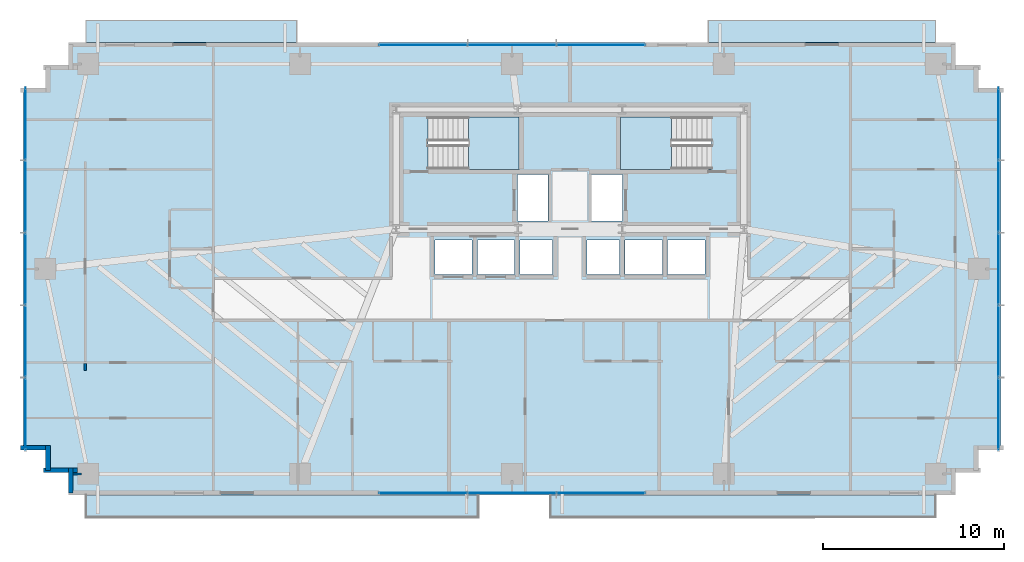
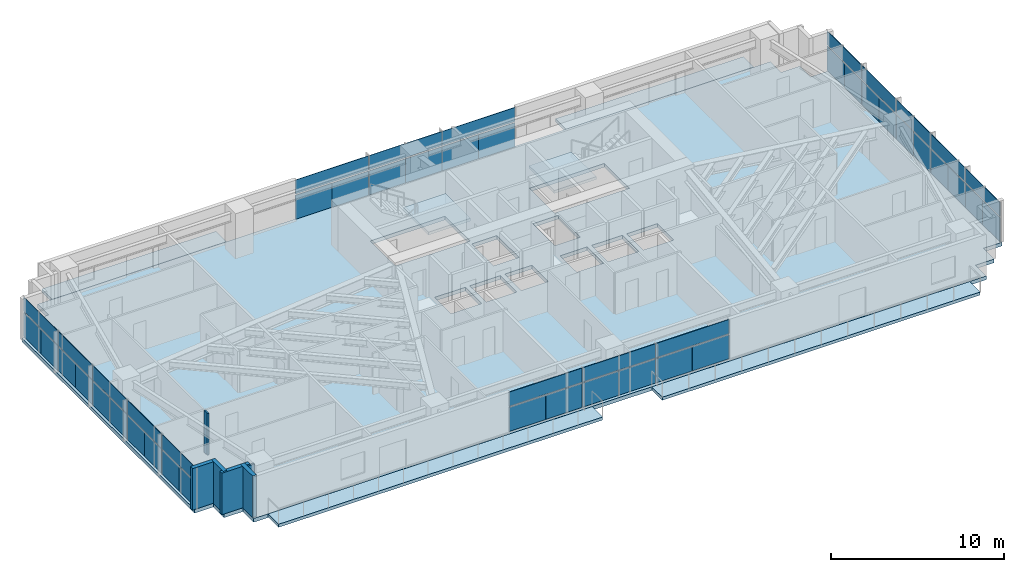
# One storey, part 18 of 25: 48 plates, 7 slabs, 6 walls, 6 elements without a shape of their own.
"""IFC4 building model written with IfcOpenShell, lengths in metres."""

from ifc_helpers import new_model, si_unit, direction, frame, frame_2d, origin, origin_2d, place, context, subcontext, project, spatial, polyline, rectangle, outline, extrude, source, transform, mapped, material, layer, layer_set, type_object, type_shapes, element, aggregate, save


model = new_model("IFC4")

# Units and contexts
model_context = context("Model", 3, precision=1e-05, world=origin(), true_north=direction((0.0, 1.0)))
body_context = subcontext(model_context, "Body", "Model", "MODEL_VIEW")
ifc_project = project(units=[si_unit("LENGTHUNIT", "METRE"), si_unit("AREAUNIT", "SQUARE_METRE"), si_unit("VOLUMEUNIT", "CUBIC_METRE"), si_unit("PLANEANGLEUNIT", "RADIAN"), si_unit("MASSUNIT", "GRAM", prefix="KILO")], contexts=[model_context])

# Site, building, storey
site_placement = place(None, origin())
site = spatial("IfcSite", under=ifc_project, at=site_placement, CompositionType="ELEMENT")
building_placement = place(site_placement, origin())
building = spatial("IfcBuilding", under=site, at=building_placement, Name="Astriad Promenade Condominiums", CompositionType="ELEMENT")
storey_placement = place(building_placement, frame((0.0, 0.0, 51.800048828125)))
storey = spatial("IfcBuildingStorey", under=building, at=storey_placement, Name="L14", CompositionType="ELEMENT", Elevation=51.800048828125)

# Slab
ifc_material_1 = material(Name="Concrete C50/60", Category="concrete")
ifc_layer_1 = layer(ifc_material_1, 0.260009765625)
ifc_layer_set_1 = layer_set([ifc_layer_1], Name="Concrete C50/60")
slab_type_1 = type_object("IfcSlabType", Name="CONCRETE TOWER FLOOR SLAB 260", PredefinedType="FLOOR", material=ifc_layer_set_1)
slab_1_placement = place(storey_placement, frame((0.0, 0.0, -0.260009765625)))
element("IfcSlab", 1, at=slab_1_placement, inside=storey, type_object=slab_type_1, Name="Structural Floor Slab (L14)", PredefinedType="FLOOR", context=body_context, shape_type="SweptSolid", body=[
    extrude(outline(polyline([(8.300048828125, 2.699951171875), (57.300048828125, 2.699951171875), (57.300048828125, 3.949951171875), (58.550048828125, 3.949951171875), (58.550048828125, 5.199951171875), (59.800048828125, 5.199951171875), (59.800048828125, 25.199951171875), (58.550048828125, 25.199951171875), (58.550048828125, 26.449951171875), (57.300048828125, 26.449951171875), (57.300048828125, 27.699951171875), (8.300048828125, 27.699951171875), (8.300048828125, 26.449951171875), (7.050048828125, 26.449951171875), (7.050048828125, 25.199951171875), (5.800048828125, 25.199951171875), (5.800048828125, 5.199951171875), (7.050048828125, 5.199951171875), (7.050048828125, 3.949951171875), (8.300048828125, 3.949951171875), (8.300048828125, 2.699951171875)]), holes=[polyline([(28.175048828125, 20.699951171875), (33.175048828125, 20.699951171875), (33.175048828125, 23.60009765625), (28.175048828125, 23.60009765625), (28.175048828125, 20.699951171875)]), polyline([(38.824951171875, 20.699951171875), (43.824951171875, 20.699951171875), (43.824951171875, 23.60009765625), (38.824951171875, 23.60009765625), (38.824951171875, 20.699951171875)]), polyline([(33.10009765625, 17.85009765625), (34.800048828125, 17.85009765625), (34.800048828125, 20.39990234375), (33.10009765625, 20.39990234375), (33.10009765625, 17.85009765625)]), polyline([(37.199951171875, 17.85009765625), (38.89990234375, 17.85009765625), (38.89990234375, 20.39990234375), (37.199951171875, 20.39990234375), (37.199951171875, 17.85009765625)]), polyline([(28.550048828125, 14.89990234375), (30.60009765625, 14.89990234375), (30.60009765625, 16.800048828125), (28.550048828125, 16.800048828125), (28.550048828125, 14.89990234375)]), polyline([(30.89990234375, 14.89990234375), (32.949951171875, 14.89990234375), (32.949951171875, 16.800048828125), (30.89990234375, 16.800048828125), (30.89990234375, 14.89990234375)]), polyline([(33.25, 14.89990234375), (35.050048828125, 14.89990234375), (35.050048828125, 16.800048828125), (33.25, 16.800048828125), (33.25, 14.89990234375)]), polyline([(36.949951171875, 14.89990234375), (38.75, 14.89990234375), (38.75, 16.800048828125), (36.949951171875, 16.800048828125), (36.949951171875, 14.89990234375)]), polyline([(39.050048828125, 14.89990234375), (41.10009765625, 14.89990234375), (41.10009765625, 16.800048828125), (39.050048828125, 16.800048828125), (39.050048828125, 14.89990234375)]), polyline([(41.39990234375, 14.89990234375), (43.449951171875, 14.89990234375), (43.449951171875, 16.800048828125), (41.39990234375, 16.800048828125), (41.39990234375, 14.89990234375)])]), origin(), (0.0, 0.0, 1.0), 0.260009765625),
])

# Stair, slab
stair_type = type_object("IfcStairType", Name="STR-CORE-1350", PredefinedType="HALF_TURN_STAIR", material=ifc_material_1)
stair_1_placement = place(storey_placement, origin())
stair_1 = element("IfcStair", 2, at=stair_1_placement, inside=storey, type_object=stair_type, Name="L14 Enclosed Core Exit Stair ST-1", PredefinedType="HALF_TURN_STAIR")
ifc_layer_2 = layer(ifc_material_1, 0.219970703125)
ifc_layer_set_2 = layer_set([ifc_layer_2], Name="Concrete C50/60")
slab_type_2 = type_object("IfcSlabType", Name="SLB-LANDING-220", PredefinedType="LANDING", material=ifc_layer_set_2)
slab_2_placement = place(storey_placement, frame((0.0, 0.0, 1.39990234375)))
slab_2 = element("IfcSlab", 3, at=slab_2_placement, type_object=slab_type_2, Name="ST-1 landing 1", PredefinedType="LANDING", context=body_context, shape_type="SweptSolid", body=[
    extrude(outline(polyline([(30.389892578125, 20.699951171875), (33.199951171875, 20.699951171875), (33.199951171875, 23.60009765625), (30.389892578125, 23.60009765625), (30.389892578125, 20.699951171875)])), origin(), (0.0, 0.0, 1.0), 0.199951171875),
])
aggregate(stair_1, [slab_2])

stair_2_placement = place(storey_placement, origin())
stair_2 = element("IfcStair", 4, at=stair_2_placement, inside=storey, type_object=stair_type, Name="L14 Enclosed Core Exit Stair ST-2", PredefinedType="HALF_TURN_STAIR")
slab_3_placement = place(storey_placement, frame((0.0, 0.0, 1.39990234375)))
slab_3 = element("IfcSlab", 5, at=slab_3_placement, type_object=slab_type_2, Name="ST-2 landing 1", PredefinedType="LANDING", context=body_context, shape_type="SweptSolid", body=[
    extrude(outline(polyline([(41.610107421875, 23.60009765625), (38.800048828125, 23.60009765625), (38.800048828125, 20.699951171875), (41.610107421875, 20.699951171875), (41.610107421875, 23.60009765625)])), origin(), (0.0, 0.0, 1.0), 0.199951171875),
])
aggregate(stair_2, [slab_3])

# Slabs
ifc_material_2 = material(Name="Precast concrete C50/60", Category="concrete")
ifc_layer_3 = layer(ifc_material_2, 0.219970703125)
ifc_layer_set_3 = layer_set([ifc_layer_3], Name="Precast concrete C50/60")
slab_type_3 = type_object("IfcSlabType", Name="WHITE PRECAST CONCRETE WAVE BALCONY SLAB 220", PredefinedType="FLOOR", material=ifc_layer_set_3)
slab_4_placement = place(storey_placement, frame((0.0, 0.0, -0.219970703125)))
element("IfcSlab", 6, at=slab_4_placement, inside=storey, type_object=slab_type_3, Name="White Precast Wave Balcony Slab BAL-L14-SW", PredefinedType="FLOOR", context=body_context, shape_type="SweptSolid", body=[
    extrude(outline(polyline([(30.944091796875, 1.47998046875), (9.277099609375, 1.47998046875), (9.277099609375, 2.697998046875), (30.944091796875, 2.697998046875), (30.944091796875, 1.47998046875)])), origin(), (0.0, 0.0, 1.0), 0.219970703125),
])
slab_5_placement = place(storey_placement, frame((0.0, 0.0, -0.219970703125)))
element("IfcSlab", 7, at=slab_5_placement, inside=storey, type_object=slab_type_3, Name="White Precast Wave Balcony Slab BAL-L14-SE", PredefinedType="FLOOR", context=body_context, shape_type="SweptSolid", body=[
    extrude(outline(polyline([(56.18603515625, 1.47998046875), (34.927978515625, 1.47998046875), (34.927978515625, 2.697998046875), (56.18603515625, 2.697998046875), (56.18603515625, 1.47998046875)])), origin(), (0.0, 0.0, 1.0), 0.219970703125),
])
slab_6_placement = place(storey_placement, frame((0.0, 0.0, -0.219970703125)))
element("IfcSlab", 8, at=slab_6_placement, inside=storey, type_object=slab_type_3, Name="White Precast Wave Balcony Slab BAL-L14-NW", PredefinedType="FLOOR", context=body_context, shape_type="SweptSolid", body=[
    extrude(outline(polyline([(9.277099609375, 28.919921875), (20.919921875, 28.919921875), (20.919921875, 27.701904296875), (9.277099609375, 27.701904296875), (9.277099609375, 28.919921875)])), origin(), (0.0, 0.0, 1.0), 0.219970703125),
])
slab_7_placement = place(storey_placement, frame((0.0, 0.0, -0.219970703125)))
element("IfcSlab", 9, at=slab_7_placement, inside=storey, type_object=slab_type_3, Name="White Precast Wave Balcony Slab BAL-L14-NE", PredefinedType="FLOOR", context=body_context, shape_type="SweptSolid", body=[
    extrude(outline(polyline([(43.639892578125, 28.919921875), (56.18603515625, 28.919921875), (56.18603515625, 27.701904296875), (43.639892578125, 27.701904296875), (43.639892578125, 28.919921875)])), origin(), (0.0, 0.0, 1.0), 0.219970703125),
])

# Curtain wall, plates
ifc_material_3 = material(Name="Anodised aluminium Black Dark Glass Unitised", Category="aluminium")
curtain_wall_type = type_object("IfcCurtainWallType", Name="CW-B1-DARK", PredefinedType="USERDEFINED", material=ifc_material_3)
curtain_wall_1_placement = place(storey_placement, origin())
curtain_wall_1 = element("IfcCurtainWall", 10, at=curtain_wall_1_placement, inside=storey, type_object=curtain_wall_type, Name="CW-L14-W", ObjectType="UNITISED_CURTAIN_WALL", PredefinedType="USERDEFINED")
ifc_material_4 = material(Name="Dark Tinted Low-E Laminated Glass", Category="glass")
ifc_layer_4 = layer(ifc_material_4, 0.035888671875)
ifc_layer_set_4 = layer_set([ifc_layer_4], Name="Dark Tinted Low-E Laminated Glass")
plate_type = type_object("IfcPlateType", Name="PNL-DARK-GLASS-36", PredefinedType="CURTAIN_PANEL", material=ifc_layer_set_4)
shared_shape_1 = source(origin(), body_context, "Body", "SweptSolid", [
    extrude(rectangle(XDim=1.988037109375, YDim=0.035888671875, at=origin_2d()), origin(), (0.0, 0.0, 1.0), 1.702880859375),
])
plate_1_placement = place(storey_placement, frame((5.929931640625, 6.199951171875, 0.080078125), z_axis=(0.0, 0.0, 1.0), x_axis=(0.0, 1.0, 0.0)))
plate_1 = element("IfcPlate", 11, at=plate_1_placement, type_object=plate_type, Name="CW-L14-W-PNL-00-VL", PredefinedType="CURTAIN_PANEL", context=body_context, shape_type="MappedRepresentation", body=[
    mapped(shared_shape_1, transform((0.0, 0.0, 0.0), scale=1.0)),
])
plate_2_placement = place(storey_placement, frame((5.929931640625, 8.199951171875, 0.080078125), z_axis=(0.0, 0.0, 1.0), x_axis=(0.0, 1.0, 0.0)))
plate_2 = element("IfcPlate", 12, at=plate_2_placement, type_object=plate_type, Name="CW-L14-W-PNL-00-VR", PredefinedType="CURTAIN_PANEL", context=body_context, shape_type="MappedRepresentation", body=[
    mapped(shared_shape_1, transform((0.0, 0.0, 0.0), scale=1.0)),
])
plate_3_placement = place(storey_placement, frame((5.929931640625, 10.199951171875, 0.080078125), z_axis=(0.0, 0.0, 1.0), x_axis=(0.0, 1.0, 0.0)))
plate_3 = element("IfcPlate", 13, at=plate_3_placement, type_object=plate_type, Name="CW-L14-W-PNL-01-VL", PredefinedType="CURTAIN_PANEL", context=body_context, shape_type="MappedRepresentation", body=[
    mapped(shared_shape_1, transform((0.0, 0.0, 0.0), scale=1.0)),
])
plate_4_placement = place(storey_placement, frame((5.929931640625, 12.199951171875, 0.080078125), z_axis=(0.0, 0.0, 1.0), x_axis=(0.0, 1.0, 0.0)))
plate_4 = element("IfcPlate", 14, at=plate_4_placement, type_object=plate_type, Name="CW-L14-W-PNL-01-VR", PredefinedType="CURTAIN_PANEL", context=body_context, shape_type="MappedRepresentation", body=[
    mapped(shared_shape_1, transform((0.0, 0.0, 0.0), scale=1.0)),
])
plate_5_placement = place(storey_placement, frame((5.929931640625, 14.199951171875, 0.080078125), z_axis=(0.0, 0.0, 1.0), x_axis=(0.0, 1.0, 0.0)))
plate_5 = element("IfcPlate", 15, at=plate_5_placement, type_object=plate_type, Name="CW-L14-W-PNL-02-VL", PredefinedType="CURTAIN_PANEL", context=body_context, shape_type="MappedRepresentation", body=[
    mapped(shared_shape_1, transform((0.0, 0.0, 0.0), scale=1.0)),
])
plate_6_placement = place(storey_placement, frame((5.929931640625, 16.199951171875, 0.080078125), z_axis=(0.0, 0.0, 1.0), x_axis=(0.0, 1.0, 0.0)))
plate_6 = element("IfcPlate", 16, at=plate_6_placement, type_object=plate_type, Name="CW-L14-W-PNL-02-VR", PredefinedType="CURTAIN_PANEL", context=body_context, shape_type="MappedRepresentation", body=[
    mapped(shared_shape_1, transform((0.0, 0.0, 0.0), scale=1.0)),
])
plate_7_placement = place(storey_placement, frame((5.929931640625, 18.199951171875, 0.080078125), z_axis=(0.0, 0.0, 1.0), x_axis=(0.0, 1.0, 0.0)))
plate_7 = element("IfcPlate", 17, at=plate_7_placement, type_object=plate_type, Name="CW-L14-W-PNL-03-VL", PredefinedType="CURTAIN_PANEL", context=body_context, shape_type="MappedRepresentation", body=[
    mapped(shared_shape_1, transform((0.0, 0.0, 0.0), scale=1.0)),
])
plate_8_placement = place(storey_placement, frame((5.929931640625, 20.199951171875, 0.080078125), z_axis=(0.0, 0.0, 1.0), x_axis=(0.0, 1.0, 0.0)))
plate_8 = element("IfcPlate", 18, at=plate_8_placement, type_object=plate_type, Name="CW-L14-W-PNL-03-VR", PredefinedType="CURTAIN_PANEL", context=body_context, shape_type="MappedRepresentation", body=[
    mapped(shared_shape_1, transform((0.0, 0.0, 0.0), scale=1.0)),
])
plate_9_placement = place(storey_placement, frame((5.929931640625, 22.199951171875, 0.080078125), z_axis=(0.0, 0.0, 1.0), x_axis=(0.0, 1.0, 0.0)))
plate_9 = element("IfcPlate", 19, at=plate_9_placement, type_object=plate_type, Name="CW-L14-W-PNL-04-VL", PredefinedType="CURTAIN_PANEL", context=body_context, shape_type="MappedRepresentation", body=[
    mapped(shared_shape_1, transform((0.0, 0.0, 0.0), scale=1.0)),
])
plate_10_placement = place(storey_placement, frame((5.929931640625, 24.199951171875, 0.080078125), z_axis=(0.0, 0.0, 1.0), x_axis=(0.0, 1.0, 0.0)))
plate_10 = element("IfcPlate", 20, at=plate_10_placement, type_object=plate_type, Name="CW-L14-W-PNL-04-VR", PredefinedType="CURTAIN_PANEL", context=body_context, shape_type="MappedRepresentation", body=[
    mapped(shared_shape_1, transform((0.0, 0.0, 0.0), scale=1.0)),
])

curtain_wall_2_placement = place(storey_placement, origin())
curtain_wall_2 = element("IfcCurtainWall", 21, at=curtain_wall_2_placement, inside=storey, type_object=curtain_wall_type, Name="CW-L14-E", ObjectType="UNITISED_CURTAIN_WALL", PredefinedType="USERDEFINED")
plate_11_placement = place(storey_placement, frame((59.669921875, 24.199951171875, 0.080078125), z_axis=(0.0, 0.0, 1.0), x_axis=(0.0, -1.0, 0.0)))
plate_11 = element("IfcPlate", 22, at=plate_11_placement, type_object=plate_type, Name="CW-L14-E-PNL-00-VL", PredefinedType="CURTAIN_PANEL", context=body_context, shape_type="MappedRepresentation", body=[
    mapped(shared_shape_1, transform((0.0, 0.0, 0.0), scale=1.0)),
])
plate_12_placement = place(storey_placement, frame((59.669921875, 22.199951171875, 0.080078125), z_axis=(0.0, 0.0, 1.0), x_axis=(0.0, -1.0, 0.0)))
plate_12 = element("IfcPlate", 23, at=plate_12_placement, type_object=plate_type, Name="CW-L14-E-PNL-00-VR", PredefinedType="CURTAIN_PANEL", context=body_context, shape_type="MappedRepresentation", body=[
    mapped(shared_shape_1, transform((0.0, 0.0, 0.0), scale=1.0)),
])
plate_13_placement = place(storey_placement, frame((59.669921875, 20.199951171875, 0.080078125), z_axis=(0.0, 0.0, 1.0), x_axis=(0.0, -1.0, 0.0)))
plate_13 = element("IfcPlate", 24, at=plate_13_placement, type_object=plate_type, Name="CW-L14-E-PNL-01-VL", PredefinedType="CURTAIN_PANEL", context=body_context, shape_type="MappedRepresentation", body=[
    mapped(shared_shape_1, transform((0.0, 0.0, 0.0), scale=1.0)),
])
plate_14_placement = place(storey_placement, frame((59.669921875, 18.199951171875, 0.080078125), z_axis=(0.0, 0.0, 1.0), x_axis=(0.0, -1.0, 0.0)))
plate_14 = element("IfcPlate", 25, at=plate_14_placement, type_object=plate_type, Name="CW-L14-E-PNL-01-VR", PredefinedType="CURTAIN_PANEL", context=body_context, shape_type="MappedRepresentation", body=[
    mapped(shared_shape_1, transform((0.0, 0.0, 0.0), scale=1.0)),
])
plate_15_placement = place(storey_placement, frame((59.669921875, 16.199951171875, 0.080078125), z_axis=(0.0, 0.0, 1.0), x_axis=(0.0, -1.0, 0.0)))
plate_15 = element("IfcPlate", 26, at=plate_15_placement, type_object=plate_type, Name="CW-L14-E-PNL-02-VL", PredefinedType="CURTAIN_PANEL", context=body_context, shape_type="MappedRepresentation", body=[
    mapped(shared_shape_1, transform((0.0, 0.0, 0.0), scale=1.0)),
])
plate_16_placement = place(storey_placement, frame((59.669921875, 14.199951171875, 0.080078125), z_axis=(0.0, 0.0, 1.0), x_axis=(0.0, -1.0, 0.0)))
plate_16 = element("IfcPlate", 27, at=plate_16_placement, type_object=plate_type, Name="CW-L14-E-PNL-02-VR", PredefinedType="CURTAIN_PANEL", context=body_context, shape_type="MappedRepresentation", body=[
    mapped(shared_shape_1, transform((0.0, 0.0, 0.0), scale=1.0)),
])
plate_17_placement = place(storey_placement, frame((59.669921875, 12.199951171875, 0.080078125), z_axis=(0.0, 0.0, 1.0), x_axis=(0.0, -1.0, 0.0)))
plate_17 = element("IfcPlate", 28, at=plate_17_placement, type_object=plate_type, Name="CW-L14-E-PNL-03-VL", PredefinedType="CURTAIN_PANEL", context=body_context, shape_type="MappedRepresentation", body=[
    mapped(shared_shape_1, transform((0.0, 0.0, 0.0), scale=1.0)),
])
plate_18_placement = place(storey_placement, frame((59.669921875, 10.199951171875, 0.080078125), z_axis=(0.0, 0.0, 1.0), x_axis=(0.0, -1.0, 0.0)))
plate_18 = element("IfcPlate", 29, at=plate_18_placement, type_object=plate_type, Name="CW-L14-E-PNL-03-VR", PredefinedType="CURTAIN_PANEL", context=body_context, shape_type="MappedRepresentation", body=[
    mapped(shared_shape_1, transform((0.0, 0.0, 0.0), scale=1.0)),
])
plate_19_placement = place(storey_placement, frame((59.669921875, 8.199951171875, 0.080078125), z_axis=(0.0, 0.0, 1.0), x_axis=(0.0, -1.0, 0.0)))
plate_19 = element("IfcPlate", 30, at=plate_19_placement, type_object=plate_type, Name="CW-L14-E-PNL-04-VL", PredefinedType="CURTAIN_PANEL", context=body_context, shape_type="MappedRepresentation", body=[
    mapped(shared_shape_1, transform((0.0, 0.0, 0.0), scale=1.0)),
])
plate_20_placement = place(storey_placement, frame((59.669921875, 6.199951171875, 0.080078125), z_axis=(0.0, 0.0, 1.0), x_axis=(0.0, -1.0, 0.0)))
plate_20 = element("IfcPlate", 31, at=plate_20_placement, type_object=plate_type, Name="CW-L14-E-PNL-04-VR", PredefinedType="CURTAIN_PANEL", context=body_context, shape_type="MappedRepresentation", body=[
    mapped(shared_shape_1, transform((0.0, 0.0, 0.0), scale=1.0)),
])

# Plate
shared_shape_2 = source(origin(), body_context, "Body", "SweptSolid", [
    extrude(rectangle(XDim=3.988037109375, YDim=0.035888671875, at=origin_2d()), origin(), (0.0, 0.0, 1.0), 0.997314453125),
])
plate_21_placement = place(storey_placement, frame((5.929931640625, 7.199951171875, 1.86279296875), z_axis=(0.0, 0.0, 1.0), x_axis=(0.0, 1.0, 0.0)))
plate_21 = element("IfcPlate", 32, at=plate_21_placement, type_object=plate_type, Name="CW-L14-W-PNL-00-S", PredefinedType="CURTAIN_PANEL", context=body_context, shape_type="MappedRepresentation", body=[
    mapped(shared_shape_2, transform((0.0, 0.0, 0.0), scale=1.0)),
])

plate_22_placement = place(storey_placement, frame((5.929931640625, 11.199951171875, 1.86279296875), z_axis=(0.0, 0.0, 1.0), x_axis=(0.0, 1.0, 0.0)))
plate_22 = element("IfcPlate", 33, at=plate_22_placement, type_object=plate_type, Name="CW-L14-W-PNL-01-S", PredefinedType="CURTAIN_PANEL", context=body_context, shape_type="MappedRepresentation", body=[
    mapped(shared_shape_2, transform((0.0, 0.0, 0.0), scale=1.0)),
])

plate_23_placement = place(storey_placement, frame((5.929931640625, 15.199951171875, 1.86279296875), z_axis=(0.0, 0.0, 1.0), x_axis=(0.0, 1.0, 0.0)))
plate_23 = element("IfcPlate", 34, at=plate_23_placement, type_object=plate_type, Name="CW-L14-W-PNL-02-S", PredefinedType="CURTAIN_PANEL", context=body_context, shape_type="MappedRepresentation", body=[
    mapped(shared_shape_2, transform((0.0, 0.0, 0.0), scale=1.0)),
])

plate_24_placement = place(storey_placement, frame((5.929931640625, 19.199951171875, 1.86279296875), z_axis=(0.0, 0.0, 1.0), x_axis=(0.0, 1.0, 0.0)))
plate_24 = element("IfcPlate", 35, at=plate_24_placement, type_object=plate_type, Name="CW-L14-W-PNL-03-S", PredefinedType="CURTAIN_PANEL", context=body_context, shape_type="MappedRepresentation", body=[
    mapped(shared_shape_2, transform((0.0, 0.0, 0.0), scale=1.0)),
])

plate_25_placement = place(storey_placement, frame((5.929931640625, 23.199951171875, 1.86279296875), z_axis=(0.0, 0.0, 1.0), x_axis=(0.0, 1.0, 0.0)))
plate_25 = element("IfcPlate", 36, at=plate_25_placement, type_object=plate_type, Name="CW-L14-W-PNL-04-S", PredefinedType="CURTAIN_PANEL", context=body_context, shape_type="MappedRepresentation", body=[
    mapped(shared_shape_2, transform((0.0, 0.0, 0.0), scale=1.0)),
])

aggregate(curtain_wall_1, [plate_1, plate_2, plate_21, plate_3, plate_4, plate_22, plate_5, plate_6, plate_23, plate_7, plate_8, plate_24, plate_9, plate_10, plate_25])

plate_26_placement = place(storey_placement, frame((59.669921875, 23.199951171875, 1.86279296875), z_axis=(0.0, 0.0, 1.0), x_axis=(0.0, -1.0, 0.0)))
plate_26 = element("IfcPlate", 37, at=plate_26_placement, type_object=plate_type, Name="CW-L14-E-PNL-00-S", PredefinedType="CURTAIN_PANEL", context=body_context, shape_type="MappedRepresentation", body=[
    mapped(shared_shape_2, transform((0.0, 0.0, 0.0), scale=1.0)),
])

plate_27_placement = place(storey_placement, frame((59.669921875, 19.199951171875, 1.86279296875), z_axis=(0.0, 0.0, 1.0), x_axis=(0.0, -1.0, 0.0)))
plate_27 = element("IfcPlate", 38, at=plate_27_placement, type_object=plate_type, Name="CW-L14-E-PNL-01-S", PredefinedType="CURTAIN_PANEL", context=body_context, shape_type="MappedRepresentation", body=[
    mapped(shared_shape_2, transform((0.0, 0.0, 0.0), scale=1.0)),
])

plate_28_placement = place(storey_placement, frame((59.669921875, 15.199951171875, 1.86279296875), z_axis=(0.0, 0.0, 1.0), x_axis=(0.0, -1.0, 0.0)))
plate_28 = element("IfcPlate", 39, at=plate_28_placement, type_object=plate_type, Name="CW-L14-E-PNL-02-S", PredefinedType="CURTAIN_PANEL", context=body_context, shape_type="MappedRepresentation", body=[
    mapped(shared_shape_2, transform((0.0, 0.0, 0.0), scale=1.0)),
])

plate_29_placement = place(storey_placement, frame((59.669921875, 11.199951171875, 1.86279296875), z_axis=(0.0, 0.0, 1.0), x_axis=(0.0, -1.0, 0.0)))
plate_29 = element("IfcPlate", 40, at=plate_29_placement, type_object=plate_type, Name="CW-L14-E-PNL-03-S", PredefinedType="CURTAIN_PANEL", context=body_context, shape_type="MappedRepresentation", body=[
    mapped(shared_shape_2, transform((0.0, 0.0, 0.0), scale=1.0)),
])

plate_30_placement = place(storey_placement, frame((59.669921875, 7.199951171875, 1.86279296875), z_axis=(0.0, 0.0, 1.0), x_axis=(0.0, -1.0, 0.0)))
plate_30 = element("IfcPlate", 41, at=plate_30_placement, type_object=plate_type, Name="CW-L14-E-PNL-04-S", PredefinedType="CURTAIN_PANEL", context=body_context, shape_type="MappedRepresentation", body=[
    mapped(shared_shape_2, transform((0.0, 0.0, 0.0), scale=1.0)),
])

aggregate(curtain_wall_2, [plate_11, plate_12, plate_26, plate_13, plate_14, plate_27, plate_15, plate_16, plate_28, plate_17, plate_18, plate_29, plate_19, plate_20, plate_30])

# Curtain wall, plates
curtain_wall_3_placement = place(storey_placement, origin())
curtain_wall_3 = element("IfcCurtainWall", 42, at=curtain_wall_3_placement, inside=storey, type_object=curtain_wall_type, Name="CW-L14-N", ObjectType="UNITISED_CURTAIN_WALL", PredefinedType="USERDEFINED")
shared_shape_3 = source(origin(), body_context, "Body", "SweptSolid", [
    extrude(rectangle(XDim=2.43798828125, YDim=0.035888671875, at=origin_2d()), origin(), (0.0, 0.0, 1.0), 1.702880859375),
])
plate_31_placement = place(storey_placement, frame((26.675048828125, 27.570068359375, 0.080078125), z_axis=(0.0, 0.0, 1.0), x_axis=(1.0, 0.0, 0.0)))
plate_31 = element("IfcPlate", 43, at=plate_31_placement, type_object=plate_type, Name="CW-L14-N-PNL-00-VL", PredefinedType="CURTAIN_PANEL", context=body_context, shape_type="MappedRepresentation", body=[
    mapped(shared_shape_3, transform((0.0, 0.0, 0.0), scale=1.0)),
])
plate_32_placement = place(storey_placement, frame((29.125, 27.570068359375, 0.080078125), z_axis=(0.0, 0.0, 1.0), x_axis=(1.0, 0.0, 0.0)))
plate_32 = element("IfcPlate", 44, at=plate_32_placement, type_object=plate_type, Name="CW-L14-N-PNL-00-VR", PredefinedType="CURTAIN_PANEL", context=body_context, shape_type="MappedRepresentation", body=[
    mapped(shared_shape_3, transform((0.0, 0.0, 0.0), scale=1.0)),
])
plate_33_placement = place(storey_placement, frame((31.574951171875, 27.570068359375, 0.080078125), z_axis=(0.0, 0.0, 1.0), x_axis=(1.0, 0.0, 0.0)))
plate_33 = element("IfcPlate", 45, at=plate_33_placement, type_object=plate_type, Name="CW-L14-N-PNL-01-VL", PredefinedType="CURTAIN_PANEL", context=body_context, shape_type="MappedRepresentation", body=[
    mapped(shared_shape_3, transform((0.0, 0.0, 0.0), scale=1.0)),
])
plate_34_placement = place(storey_placement, frame((34.02490234375, 27.570068359375, 0.080078125), z_axis=(0.0, 0.0, 1.0), x_axis=(1.0, 0.0, 0.0)))
plate_34 = element("IfcPlate", 46, at=plate_34_placement, type_object=plate_type, Name="CW-L14-N-PNL-01-VR", PredefinedType="CURTAIN_PANEL", context=body_context, shape_type="MappedRepresentation", body=[
    mapped(shared_shape_3, transform((0.0, 0.0, 0.0), scale=1.0)),
])
plate_35_placement = place(storey_placement, frame((36.47509765625, 27.570068359375, 0.080078125), z_axis=(0.0, 0.0, 1.0), x_axis=(1.0, 0.0, 0.0)))
plate_35 = element("IfcPlate", 47, at=plate_35_placement, type_object=plate_type, Name="CW-L14-N-PNL-02-VL", PredefinedType="CURTAIN_PANEL", context=body_context, shape_type="MappedRepresentation", body=[
    mapped(shared_shape_3, transform((0.0, 0.0, 0.0), scale=1.0)),
])
plate_36_placement = place(storey_placement, frame((38.925048828125, 27.570068359375, 0.080078125), z_axis=(0.0, 0.0, 1.0), x_axis=(1.0, 0.0, 0.0)))
plate_36 = element("IfcPlate", 48, at=plate_36_placement, type_object=plate_type, Name="CW-L14-N-PNL-02-VR", PredefinedType="CURTAIN_PANEL", context=body_context, shape_type="MappedRepresentation", body=[
    mapped(shared_shape_3, transform((0.0, 0.0, 0.0), scale=1.0)),
])

curtain_wall_4_placement = place(storey_placement, origin())
curtain_wall_4 = element("IfcCurtainWall", 49, at=curtain_wall_4_placement, inside=storey, type_object=curtain_wall_type, Name="CW-L14-S", ObjectType="UNITISED_CURTAIN_WALL", PredefinedType="USERDEFINED")
plate_37_placement = place(storey_placement, frame((38.925048828125, 2.830078125, 0.080078125), z_axis=(0.0, 0.0, 1.0), x_axis=(-1.0, 0.0, 0.0)))
plate_37 = element("IfcPlate", 50, at=plate_37_placement, type_object=plate_type, Name="CW-L14-S-PNL-00-VL", PredefinedType="CURTAIN_PANEL", context=body_context, shape_type="MappedRepresentation", body=[
    mapped(shared_shape_3, transform((0.0, 0.0, 0.0), scale=1.0)),
])
plate_38_placement = place(storey_placement, frame((36.47509765625, 2.830078125, 0.080078125), z_axis=(0.0, 0.0, 1.0), x_axis=(-1.0, 0.0, 0.0)))
plate_38 = element("IfcPlate", 51, at=plate_38_placement, type_object=plate_type, Name="CW-L14-S-PNL-00-VR", PredefinedType="CURTAIN_PANEL", context=body_context, shape_type="MappedRepresentation", body=[
    mapped(shared_shape_3, transform((0.0, 0.0, 0.0), scale=1.0)),
])
plate_39_placement = place(storey_placement, frame((34.02490234375, 2.830078125, 0.080078125), z_axis=(0.0, 0.0, 1.0), x_axis=(-1.0, 0.0, 0.0)))
plate_39 = element("IfcPlate", 52, at=plate_39_placement, type_object=plate_type, Name="CW-L14-S-PNL-01-VL", PredefinedType="CURTAIN_PANEL", context=body_context, shape_type="MappedRepresentation", body=[
    mapped(shared_shape_3, transform((0.0, 0.0, 0.0), scale=1.0)),
])
plate_40_placement = place(storey_placement, frame((31.574951171875, 2.830078125, 0.080078125), z_axis=(0.0, 0.0, 1.0), x_axis=(-1.0, 0.0, 0.0)))
plate_40 = element("IfcPlate", 53, at=plate_40_placement, type_object=plate_type, Name="CW-L14-S-PNL-01-VR", PredefinedType="CURTAIN_PANEL", context=body_context, shape_type="MappedRepresentation", body=[
    mapped(shared_shape_3, transform((0.0, 0.0, 0.0), scale=1.0)),
])
plate_41_placement = place(storey_placement, frame((29.125, 2.830078125, 0.080078125), z_axis=(0.0, 0.0, 1.0), x_axis=(-1.0, 0.0, 0.0)))
plate_41 = element("IfcPlate", 54, at=plate_41_placement, type_object=plate_type, Name="CW-L14-S-PNL-02-VL", PredefinedType="CURTAIN_PANEL", context=body_context, shape_type="MappedRepresentation", body=[
    mapped(shared_shape_3, transform((0.0, 0.0, 0.0), scale=1.0)),
])
plate_42_placement = place(storey_placement, frame((26.675048828125, 2.830078125, 0.080078125), z_axis=(0.0, 0.0, 1.0), x_axis=(-1.0, 0.0, 0.0)))
plate_42 = element("IfcPlate", 55, at=plate_42_placement, type_object=plate_type, Name="CW-L14-S-PNL-02-VR", PredefinedType="CURTAIN_PANEL", context=body_context, shape_type="MappedRepresentation", body=[
    mapped(shared_shape_3, transform((0.0, 0.0, 0.0), scale=1.0)),
])

# Plate
shared_shape_4 = source(origin(), body_context, "Body", "SweptSolid", [
    extrude(rectangle(XDim=4.887939453125, YDim=0.035888671875, at=origin_2d()), origin(), (0.0, 0.0, 1.0), 0.997314453125),
])
type_shapes(plate_type, [shared_shape_1, shared_shape_2, shared_shape_3, shared_shape_4])
plate_43_placement = place(storey_placement, frame((27.89990234375, 27.570068359375, 1.86279296875), z_axis=(0.0, 0.0, 1.0), x_axis=(1.0, 0.0, 0.0)))
plate_43 = element("IfcPlate", 56, at=plate_43_placement, type_object=plate_type, Name="CW-L14-N-PNL-00-S", PredefinedType="CURTAIN_PANEL", context=body_context, shape_type="MappedRepresentation", body=[
    mapped(shared_shape_4, transform((0.0, 0.0, 0.0), scale=1.0)),
])

plate_44_placement = place(storey_placement, frame((32.800048828125, 27.570068359375, 1.86279296875), z_axis=(0.0, 0.0, 1.0), x_axis=(1.0, 0.0, 0.0)))
plate_44 = element("IfcPlate", 57, at=plate_44_placement, type_object=plate_type, Name="CW-L14-N-PNL-01-S", PredefinedType="CURTAIN_PANEL", context=body_context, shape_type="MappedRepresentation", body=[
    mapped(shared_shape_4, transform((0.0, 0.0, 0.0), scale=1.0)),
])

plate_45_placement = place(storey_placement, frame((37.699951171875, 27.570068359375, 1.86279296875), z_axis=(0.0, 0.0, 1.0), x_axis=(1.0, 0.0, 0.0)))
plate_45 = element("IfcPlate", 58, at=plate_45_placement, type_object=plate_type, Name="CW-L14-N-PNL-02-S", PredefinedType="CURTAIN_PANEL", context=body_context, shape_type="MappedRepresentation", body=[
    mapped(shared_shape_4, transform((0.0, 0.0, 0.0), scale=1.0)),
])

aggregate(curtain_wall_3, [plate_31, plate_32, plate_43, plate_33, plate_34, plate_44, plate_35, plate_36, plate_45])

plate_46_placement = place(storey_placement, frame((37.699951171875, 2.830078125, 1.86279296875), z_axis=(0.0, 0.0, 1.0), x_axis=(-1.0, 0.0, 0.0)))
plate_46 = element("IfcPlate", 59, at=plate_46_placement, type_object=plate_type, Name="CW-L14-S-PNL-00-S", PredefinedType="CURTAIN_PANEL", context=body_context, shape_type="MappedRepresentation", body=[
    mapped(shared_shape_4, transform((0.0, 0.0, 0.0), scale=1.0)),
])

plate_47_placement = place(storey_placement, frame((32.800048828125, 2.830078125, 1.86279296875), z_axis=(0.0, 0.0, 1.0), x_axis=(-1.0, 0.0, 0.0)))
plate_47 = element("IfcPlate", 60, at=plate_47_placement, type_object=plate_type, Name="CW-L14-S-PNL-01-S", PredefinedType="CURTAIN_PANEL", context=body_context, shape_type="MappedRepresentation", body=[
    mapped(shared_shape_4, transform((0.0, 0.0, 0.0), scale=1.0)),
])

plate_48_placement = place(storey_placement, frame((27.89990234375, 2.830078125, 1.86279296875), z_axis=(0.0, 0.0, 1.0), x_axis=(-1.0, 0.0, 0.0)))
plate_48 = element("IfcPlate", 61, at=plate_48_placement, type_object=plate_type, Name="CW-L14-S-PNL-02-S", PredefinedType="CURTAIN_PANEL", context=body_context, shape_type="MappedRepresentation", body=[
    mapped(shared_shape_4, transform((0.0, 0.0, 0.0), scale=1.0)),
])

aggregate(curtain_wall_4, [plate_37, plate_38, plate_46, plate_39, plate_40, plate_47, plate_41, plate_42, plate_48])

# Walls
ifc_layer_5 = layer(ifc_material_2, 0.260009765625)
ifc_layer_set_5 = layer_set([ifc_layer_5], Name="Precast concrete C50/60")
wall_type_1 = type_object("IfcWallType", Name="WALL-EXT-TWR-260", PredefinedType="STANDARD", material=ifc_layer_set_5)
wall_1_placement = place(storey_placement, frame((8.798095703125, 4.080078125, 0.0), z_axis=(0.0, 0.0, 1.0), x_axis=(-1.0, 0.0, 0.0)))
element("IfcWall", 62, at=wall_1_placement, inside=storey, type_object=wall_type_1, Name="W-SER-L14-00", PredefinedType="STANDARD", context=body_context, shape_type="SweptSolid", body=[
    extrude(rectangle(XDim=1.878173828125, YDim=0.260009765625, at=frame_2d((0.93896484375, 0.0))), origin(), (0.0, 0.0, 1.0), 2.93994140625),
])
for number, where, z_axis, x_axis, name in (
    (63, (7.179931640625, 4.06494140625, 0.0), (0.0, 0.0, 1.0), (0.0, 1.0, 0.0), "W-SER-L14-01"),
    (64, (7.06494140625, 5.330078125, 0.0), (0.0, 0.0, 1.0), (-1.0, 0.0, 0.0), "W-SER-L14-02"),
    (65, (8.429931640625, 2.81494140625, 0.0), (0.0, 0.0, 1.0), (0.0, 1.0, 0.0), "W-SER-L14-19"),
):
    element("IfcWall", number, at=place(storey_placement, frame(where, z_axis=z_axis, x_axis=x_axis)), inside=storey, type_object=wall_type_1, Name=name, PredefinedType="STANDARD", context=body_context, shape_type="SweptSolid", body=[
        extrude(rectangle(XDim=1.39501953125, YDim=0.260009765625, at=frame_2d((0.697509765625, 0.0))), origin(), (0.0, 0.0, 1.0), 2.93994140625),
    ])
ifc_material_5 = material(Name="Acoustic Metal-Stud Gypsum Partition")
ifc_layer_6 = layer(ifc_material_5, 0.1201171875)
ifc_layer_set_6 = layer_set([ifc_layer_6], Name="Acoustic Metal-Stud Gypsum Partition")
wall_type_2 = type_object("IfcWallType", Name="WALL-PART-120", PredefinedType="PARTITIONING", material=ifc_layer_set_6)
wall_2_placement = place(storey_placement, frame((9.237060546875, 9.5859375, 0.0), z_axis=(0.0, 0.0, 1.0), x_axis=(0.0, 1.0, 0.0)))
element("IfcWall", 66, at=wall_2_placement, inside=storey, type_object=wall_type_2, Name="PT-L14-W1-WDV5", PredefinedType="PARTITIONING", context=body_context, shape_type="SweptSolid", body=[
    extrude(rectangle(XDim=0.378173828125, YDim=0.1201171875, at=frame_2d((0.18896484375, 0.0))), origin(), (0.0, 0.0, 1.0), 2.93994140625),
])
wall_3_placement = place(storey_placement, frame((9.02001953125, 3.8798828125, 0.0), z_axis=(0.0, 0.0, 1.0), x_axis=(-1.0, 0.0, 0.0)))
element("IfcWall", 67, at=wall_3_placement, inside=storey, type_object=wall_type_2, Name="PT-PIL-L14-PC01-8", PredefinedType="PARTITIONING", context=body_context, shape_type="SweptSolid", body=[
    extrude(rectangle(XDim=0.4580078125, YDim=0.1201171875, at=frame_2d((0.22900390625, 0.0))), origin(), (0.0, 0.0, 1.0), 2.93994140625),
])

save(model, "model.ifc")
